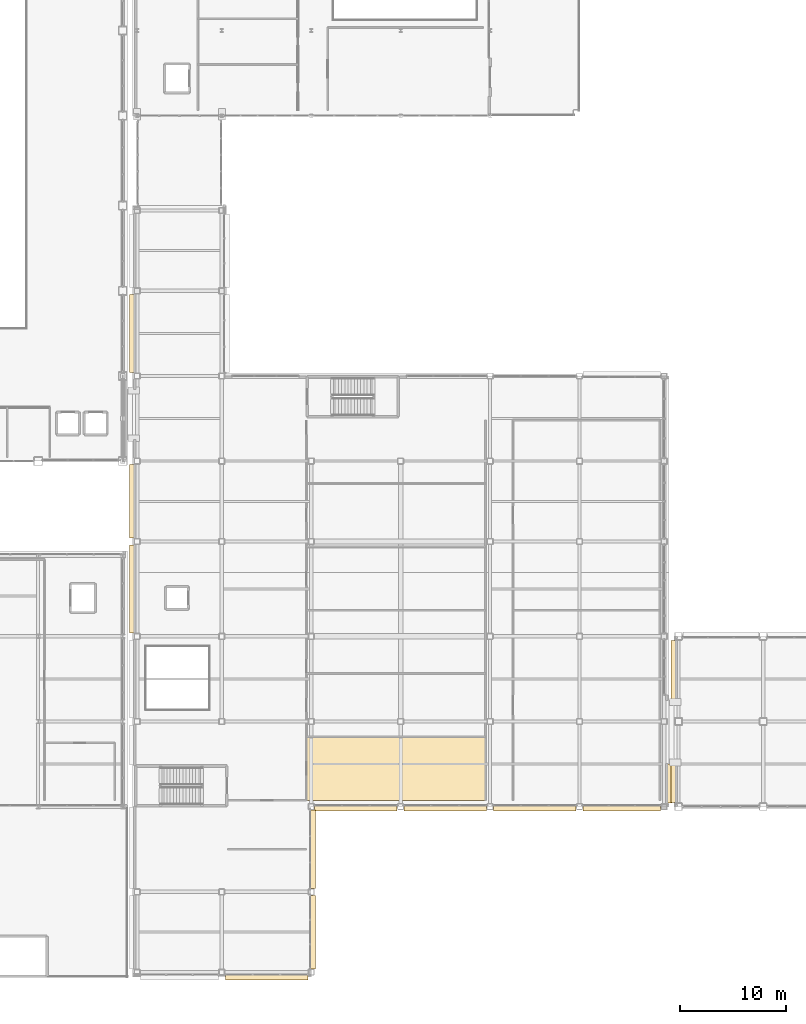
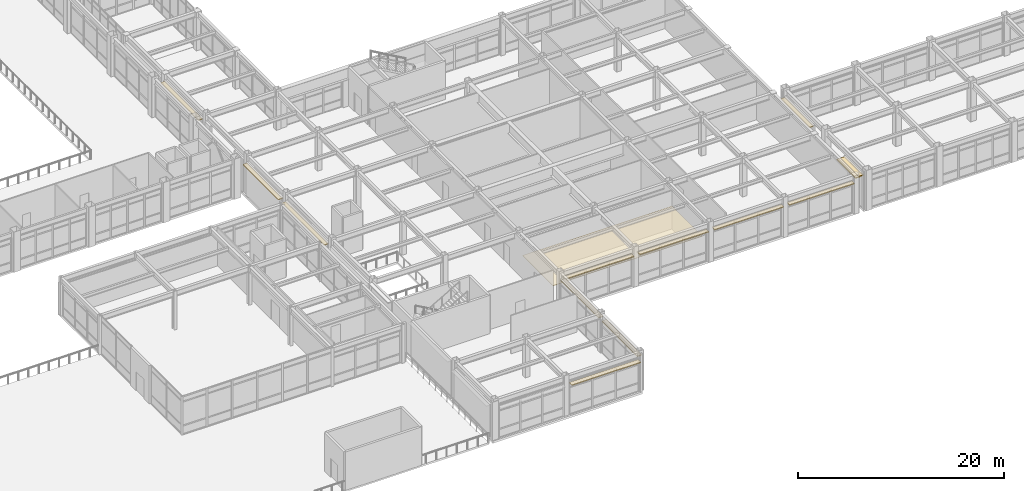
# One storey, part 143 of 154: 14 coverings.
"""IFC4 building model written with IfcOpenShell, lengths in metres."""

from ifc_helpers import new_model, si_unit, direction, frame, origin, origin_2d, place, context, subcontext, project, spatial, polyline, rectangle, outline, extrude, material, layer, layer_set, type_object, element, save


model = new_model("IFC4")

# Units and contexts
model_context = context("Model", 3, precision=1e-05, world=origin(), true_north=direction((0.0, 1.0)))
body_context = subcontext(model_context, "Body", "Model", "MODEL_VIEW")
ifc_project = project(units=[si_unit("LENGTHUNIT", "METRE"), si_unit("AREAUNIT", "SQUARE_METRE"), si_unit("VOLUMEUNIT", "CUBIC_METRE"), si_unit("PLANEANGLEUNIT", "RADIAN"), si_unit("MASSUNIT", "GRAM", prefix="KILO")], contexts=[model_context])

# Site, building, storey
site_placement = place(None, origin())
site = spatial("IfcSite", under=ifc_project, at=site_placement, CompositionType="ELEMENT")
building_placement = place(site_placement, origin())
building = spatial("IfcBuilding", under=site, at=building_placement, Name="Kazehara Bluff Congress Hotel", CompositionType="ELEMENT")
storey_placement = place(building_placement, frame((0.0, 0.0, 10.199951171875)))
storey = spatial("IfcBuildingStorey", under=building, at=storey_placement, Name="L02", CompositionType="ELEMENT", Elevation=10.199951171875)

# Coverings
ifc_material_1 = material(Name="Mineral-fibre acoustic ceiling tile")
ifc_layer_1 = layer(ifc_material_1, 0.02490234375)
ifc_layer_set_1 = layer_set([ifc_layer_1], Name="Mineral-fibre acoustic ceiling tile")
covering_type_1 = type_object("IfcCoveringType", Name="TP-CLG-01", PredefinedType="CEILING", material=ifc_layer_set_1)
covering_1_placement = place(storey_placement, frame((0.0, 0.0, 2.650146484375)))
element("IfcCovering", 1, at=covering_1_placement, inside=storey, type_object=covering_type_1, Name="L02 Meeting Room L02-1 acoustic ceiling", PredefinedType="CEILING", context=body_context, shape_type="SweptSolid", body=[
    extrude(outline(polyline([(75.60009765625, 16.60009765625), (92.39990234375, 16.60009765625), (92.39990234375, 22.550048828125), (75.60009765625, 22.550048828125), (75.60009765625, 16.60009765625)])), origin(), (0.0, 0.0, 1.0), 0.02490234375),
])
ifc_material_2 = material(Name="Anodised aluminium architectural brise-soleil", Category="aluminium")
ifc_layer_2 = layer(ifc_material_2, 0.10009765625)
ifc_layer_set_2 = layer_set([ifc_layer_2], Name="Anodised aluminium architectural brise-soleil")
covering_type_2 = type_object("IfcCoveringType", Name="TP-FAC-FIN", PredefinedType="CLADDING", material=ifc_layer_set_2)
covering_2_placement = place(storey_placement, frame((71.85009765625, -0.02001953125, 3.715087890625), z_axis=(0.0, 0.0, 1.0), x_axis=(1.0, 0.0, 0.0)))
element("IfcCovering", 2, at=covering_2_placement, inside=storey, type_object=covering_type_2, Name="L02 V4 architectural sun-hood 84", PredefinedType="CLADDING", context=body_context, shape_type="SweptSolid", body=[
    extrude(rectangle(XDim=7.75, YDim=0.52001953125, at=origin_2d()), origin(), (0.0, 0.0, 1.0), 0.10009765625),
])
covering_3_placement = place(storey_placement, frame((76.18994140625, 4.22509765625, 3.715087890625), z_axis=(0.0, 0.0, 1.0), x_axis=(1.0, 0.0, 0.0)))
element("IfcCovering", 3, at=covering_3_placement, inside=storey, type_object=covering_type_2, Name="L02 V4 architectural sun-hood 85", PredefinedType="CLADDING", context=body_context, shape_type="SweptSolid", body=[
    extrude(rectangle(XDim=0.52001953125, YDim=6.89990234375, at=origin_2d()), origin(), (0.0, 0.0, 1.0), 0.10009765625),
])
covering_4_placement = place(storey_placement, frame((76.18994140625, 12.0, 3.715087890625), z_axis=(0.0, 0.0, 1.0), x_axis=(1.0, 0.0, 0.0)))
element("IfcCovering", 4, at=covering_4_placement, inside=storey, type_object=covering_type_2, Name="L02 V4 architectural sun-hood 86", PredefinedType="CLADDING", context=body_context, shape_type="SweptSolid", body=[
    extrude(rectangle(XDim=0.52001953125, YDim=7.35009765625, at=origin_2d()), origin(), (0.0, 0.0, 1.0), 0.10009765625),
])
for number, where, z_axis, x_axis, name in (
    (5, (80.25, 15.860107421875, 3.715087890625), (0.0, 0.0, 1.0), (1.0, 0.0, 0.0), "L02 V4 architectural sun-hood 87"),
    (6, (88.64990234375, 15.860107421875, 3.715087890625), (0.0, 0.0, 1.0), (1.0, 0.0, 0.0), "L02 V4 architectural sun-hood 88"),
    (7, (97.050048828125, 15.860107421875, 3.715087890625), (0.0, 0.0, 1.0), (1.0, 0.0, 0.0), "L02 V4 architectural sun-hood 89"),
):
    element("IfcCovering", number, at=place(storey_placement, frame(where, z_axis=z_axis, x_axis=x_axis)), inside=storey, type_object=covering_type_2, Name=name, PredefinedType="CLADDING", context=body_context, shape_type="SweptSolid", body=[
        extrude(rectangle(XDim=7.75, YDim=0.52001953125, at=origin_2d()), origin(), (0.0, 0.0, 1.0), 0.10009765625),
    ])
covering_5_placement = place(storey_placement, frame((105.22509765625, 15.860107421875, 3.715087890625), z_axis=(0.0, 0.0, 1.0), x_axis=(1.0, 0.0, 0.0)))
element("IfcCovering", 8, at=covering_5_placement, inside=storey, type_object=covering_type_2, Name="L02 V4 architectural sun-hood 90", PredefinedType="CLADDING", context=body_context, shape_type="SweptSolid", body=[
    extrude(rectangle(XDim=7.300048828125, YDim=0.52001953125, at=origin_2d()), origin(), (0.0, 0.0, 1.0), 0.10009765625),
])
covering_6_placement = place(storey_placement, frame((109.669921875, 18.159912109375, 3.715087890625), z_axis=(0.0, 0.0, 1.0), x_axis=(1.0, 0.0, 0.0)))
element("IfcCovering", 9, at=covering_6_placement, inside=storey, type_object=covering_type_2, Name="L02 V4 architectural sun-hood 91", PredefinedType="CLADDING", context=body_context, shape_type="SweptSolid", body=[
    extrude(rectangle(XDim=0.52001953125, YDim=3.675048828125, at=origin_2d()), origin(), (0.0, 0.0, 1.0), 0.10009765625),
])
covering_7_placement = place(storey_placement, frame((59.22998046875, 60.449951171875, 3.715087890625), z_axis=(0.0, 0.0, 1.0), x_axis=(1.0, 0.0, 0.0)))
element("IfcCovering", 10, at=covering_7_placement, inside=storey, type_object=covering_type_2, Name="L02 V4 architectural sun-hood 95", PredefinedType="CLADDING", context=body_context, shape_type="SweptSolid", body=[
    extrude(rectangle(XDim=0.52001953125, YDim=7.35009765625, at=origin_2d()), origin(), (0.0, 0.0, 1.0), 0.10009765625),
])
covering_8_placement = place(storey_placement, frame((59.22998046875, 36.449951171875, 3.715087890625), z_axis=(0.0, 0.0, 1.0), x_axis=(1.0, 0.0, 0.0)))
element("IfcCovering", 11, at=covering_8_placement, inside=storey, type_object=covering_type_2, Name="L02 V4 architectural sun-hood 101", PredefinedType="CLADDING", context=body_context, shape_type="SweptSolid", body=[
    extrude(rectangle(XDim=0.52001953125, YDim=8.25, at=origin_2d()), origin(), (0.0, 0.0, 1.0), 0.10009765625),
])
covering_9_placement = place(storey_placement, frame((59.22998046875, 44.675048828125, 3.715087890625), z_axis=(0.0, 0.0, 1.0), x_axis=(1.0, 0.0, 0.0)))
element("IfcCovering", 12, at=covering_9_placement, inside=storey, type_object=covering_type_2, Name="L02 V4 architectural sun-hood 102", PredefinedType="CLADDING", context=body_context, shape_type="SweptSolid", body=[
    extrude(rectangle(XDim=0.52001953125, YDim=6.89990234375, at=origin_2d()), origin(), (0.0, 0.0, 1.0), 0.10009765625),
])
covering_10_placement = place(storey_placement, frame((110.080078125, 28.800048828125, 3.715087890625), z_axis=(0.0, 0.0, 1.0), x_axis=(1.0, 0.0, 0.0)))
element("IfcCovering", 13, at=covering_10_placement, inside=storey, type_object=covering_type_2, Name="L02 V5 architectural sun-hood 132", PredefinedType="CLADDING", context=body_context, shape_type="SweptSolid", body=[
    extrude(rectangle(XDim=0.52001953125, YDim=5.60009765625, at=origin_2d()), origin(), (0.0, 0.0, 1.0), 0.10009765625),
])
covering_11_placement = place(storey_placement, frame((110.080078125, 18.199951171875, 3.715087890625), z_axis=(0.0, 0.0, 1.0), x_axis=(1.0, 0.0, 0.0)))
element("IfcCovering", 14, at=covering_11_placement, inside=storey, type_object=covering_type_2, Name="L02 V5 architectural sun-hood 133", PredefinedType="CLADDING", context=body_context, shape_type="SweptSolid", body=[
    extrude(rectangle(XDim=0.52001953125, YDim=3.60009765625, at=origin_2d()), origin(), (0.0, 0.0, 1.0), 0.10009765625),
])

save(model, "model.ifc")
